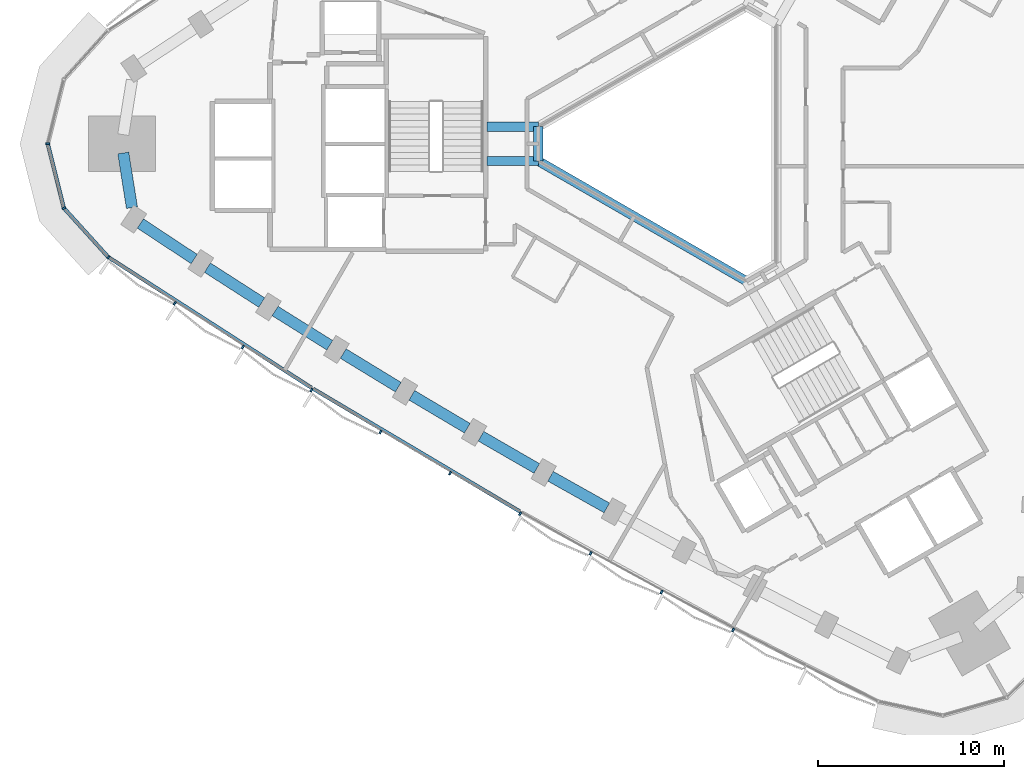
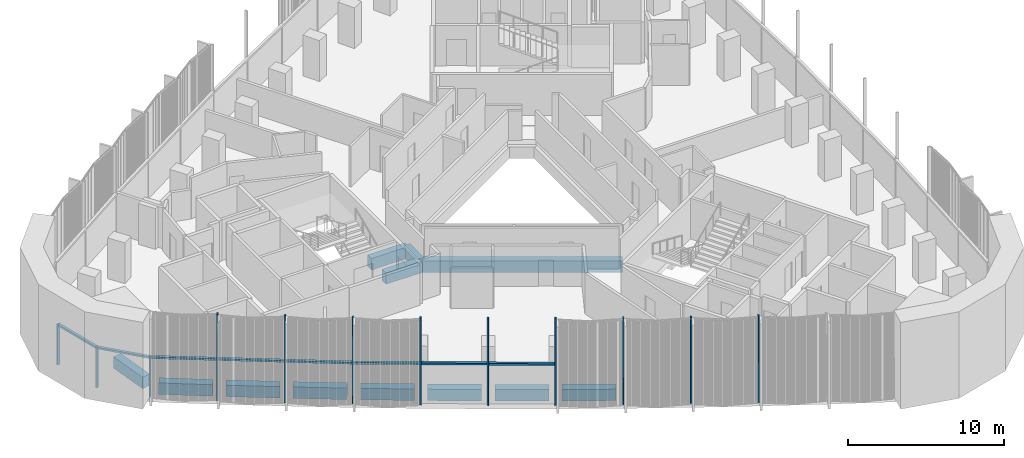
# One storey, part 2 of 14: 16 members, 12 beams, 2 elements without a shape of their own.
"""IFC4 building model written with IfcOpenShell, lengths in metres."""

from ifc_helpers import new_model, si_unit, direction, frame, origin, origin_2d, place, context, subcontext, project, spatial, rectangle, extrude, material, material_profile, profile_set, type_object, element, aggregate, save


model = new_model("IFC4")

# Units and contexts
model_context = context("Model", 3, precision=1e-05, world=origin(), true_north=direction((0.0, 1.0)))
body_context = subcontext(model_context, "Body", "Model", "MODEL_VIEW")
ifc_project = project(units=[si_unit("LENGTHUNIT", "METRE"), si_unit("AREAUNIT", "SQUARE_METRE"), si_unit("VOLUMEUNIT", "CUBIC_METRE"), si_unit("PLANEANGLEUNIT", "RADIAN"), si_unit("MASSUNIT", "GRAM", prefix="KILO")], contexts=[model_context])

# Site, building, storey
site_placement = place(None, origin())
site = spatial("IfcSite", under=ifc_project, at=site_placement, CompositionType="ELEMENT")
building_placement = place(site_placement, origin())
building = spatial("IfcBuilding", under=site, at=building_placement, Name="Tamra Quay Hotel Tower", CompositionType="ELEMENT")
storey_placement = place(building_placement, frame((0.0, 0.0, 150.39990234375)))
storey = spatial("IfcBuildingStorey", under=building, at=storey_placement, Name="L37", CompositionType="ELEMENT", Elevation=150.39990234375)

# Beams
ifc_material_1 = material(Name="Concrete M60", Category="concrete")
ifc_material_profile_1 = material_profile(ifc_material_1, rectangle(XDim=0.5, YDim=0.89990234375, at=origin_2d()), Name="ATRIUM EDGE BEAM RC 500x900")
ifc_profile_set_1 = profile_set([ifc_material_profile_1], Name="Concrete M60")
beam_type_1 = type_object("IfcBeamType", Name="ATRIUM EDGE BEAM RC 500x900", PredefinedType="BEAM", material=ifc_profile_set_1)
beam_1_placement = place(storey_placement, frame((3.199951171875, -7.39013671875, -0.849853515625), z_axis=(-0.866024942741, 0.500000798549, 0.0), x_axis=(-0.500000798549, -0.866024942741, 0.0)))
element("IfcBeam", 1, at=beam_1_placement, inside=storey, type_object=beam_type_1, Name="BM-AB2-L37", PredefinedType="BEAM", context=body_context, shape_type="SweptSolid", body=[
    extrude(rectangle(XDim=0.5, YDim=0.89990234375, at=origin_2d()), origin(), (0.0, 0.0, 1.0), 12.9326171875),
])
beam_2_placement = place(storey_placement, frame((-8.0, -0.923828125, -0.849853515625), z_axis=(0.0, 1.0, 0.0), x_axis=(-1.0, 0.0, 0.0)))
element("IfcBeam", 2, at=beam_2_placement, inside=storey, type_object=beam_type_1, Name="BM-AB3-L37", PredefinedType="BEAM", context=body_context, shape_type="SweptSolid", body=[
    extrude(rectangle(XDim=0.5, YDim=0.89990234375, at=origin_2d()), origin(), (0.0, 0.0, 1.0), 1.84765625),
])
ifc_material_profile_2 = material_profile(ifc_material_1, rectangle(XDim=0.5, YDim=0.89990234375, at=origin_2d()), Name="ATRIUM TIE BEAM RC 500x900")
ifc_profile_set_2 = profile_set([ifc_material_profile_2], Name="Concrete M60")
beam_type_2 = type_object("IfcBeamType", Name="ATRIUM TIE BEAM RC 500x900", PredefinedType="BEAM", material=ifc_profile_set_2)
for number, where, z_axis, x_axis, name in (
    (3, (-8.0, -0.923828125, -0.849853515625), (-1.0, 0.0, 0.0), (0.0, -1.0, 0.0), "BM-TIE-3-L37"),
    (4, (-8.0, 0.923828125, -0.849853515625), (-1.0, 0.0, 0.0), (0.0, -1.0, 0.0), "BM-TIE-4-L37"),
):
    element("IfcBeam", number, at=place(storey_placement, frame(where, z_axis=z_axis, x_axis=x_axis)), inside=storey, type_object=beam_type_2, Name=name, PredefinedType="BEAM", context=body_context, shape_type="SweptSolid", body=[
        extrude(rectangle(XDim=0.5, YDim=0.89990234375, at=origin_2d()), origin(), (0.0, 0.0, 1.0), 2.76220703125),
    ])

# Curtain wall, members
ifc_material_2 = material(Name="Aluminium 6063 anodised dark grey", Category="aluminium")
curtain_wall_type_1 = type_object("IfcCurtainWallType", Name="CW2 CURTAIN WALL", PredefinedType="NOTDEFINED", material=ifc_material_2)
curtain_wall_1_placement = place(storey_placement, origin())
curtain_wall_1 = element("IfcCurtainWall", 5, at=curtain_wall_1_placement, inside=storey, type_object=curtain_wall_type_1, Name="CW2 north-west face L37", PredefinedType="NOTDEFINED")
ifc_material_profile_3 = material_profile(ifc_material_2, rectangle(XDim=0.199951171875, YDim=0.10009765625, at=origin_2d()), Name="MULLION 100X200")
ifc_profile_set_3 = profile_set([ifc_material_profile_3], Name="Aluminium 6063 anodised dark grey")
member_type_1 = type_object("IfcMemberType", Name="MULLION CW2 Z3", PredefinedType="MULLION", material=ifc_profile_set_3)
member_1_placement = place(storey_placement, frame((-34.39990234375, 0.0, 0.0), z_axis=(0.0, 0.0, 1.0), x_axis=(-1.0, 0.0, 0.0)))
member_1 = element("IfcMember", 6, at=member_1_placement, type_object=member_type_1, Name="CW2 mullion L37.NW.14", PredefinedType="MULLION", context=body_context, shape_type="SweptSolid", body=[
    extrude(rectangle(XDim=0.199951171875, YDim=0.10009765625, at=origin_2d()), origin(), (0.0, 0.0, 1.0), 3.2001953125),
])
member_2_placement = place(storey_placement, frame((-33.533935546875, -3.4580078125, 0.0), z_axis=(0.0, 0.0, 1.0), x_axis=(-0.881925145425, -0.47138947577, 0.0)))
member_2 = element("IfcMember", 7, at=member_2_placement, type_object=member_type_1, Name="CW2 mullion L37.NW.15", PredefinedType="MULLION", context=body_context, shape_type="SweptSolid", body=[
    extrude(rectangle(XDim=0.199951171875, YDim=0.10009765625, at=origin_2d()), origin(), (0.0, 0.0, 1.0), 3.2001953125),
])

curtain_wall_type_2 = type_object("IfcCurtainWallType", Name="CW3 CURTAIN WALL", PredefinedType="NOTDEFINED", material=ifc_material_2)
curtain_wall_2_placement = place(storey_placement, origin())
curtain_wall_2 = element("IfcCurtainWall", 8, at=curtain_wall_2_placement, inside=storey, type_object=curtain_wall_type_2, Name="CW3 south-west face L37", PredefinedType="NOTDEFINED")
ifc_material_profile_4 = material_profile(ifc_material_2, rectangle(XDim=0.199951171875, YDim=0.10009765625, at=origin_2d()), Name="MULLION 100X200")
ifc_profile_set_4 = profile_set([ifc_material_profile_4], Name="Aluminium 6063 anodised dark grey")
member_type_2 = type_object("IfcMemberType", Name="MULLION CW3 Z3", PredefinedType="MULLION", material=ifc_profile_set_4)
member_3_placement = place(storey_placement, frame((-31.139892578125, -6.099365234375, 0.0), z_axis=(0.0, 0.0, 1.0), x_axis=(-0.650989203966, -0.759086988638, 0.0)))
member_3 = element("IfcMember", 9, at=member_3_placement, type_object=member_type_2, Name="CW3 mullion L37.SW.1", PredefinedType="MULLION", context=body_context, shape_type="SweptSolid", body=[
    extrude(rectangle(XDim=0.199951171875, YDim=0.10009765625, at=origin_2d()), origin(), (0.0, 0.0, 1.0), 3.2001953125),
])
member_4_placement = place(storey_placement, frame((-27.562255859375, -8.580078125, 0.0), z_axis=(0.0, 0.0, 1.0), x_axis=(-0.545780333841, -0.83792829478, 0.0)))
member_4 = element("IfcMember", 10, at=member_4_placement, type_object=member_type_2, Name="CW3 mullion L37.SW.2", PredefinedType="MULLION", context=body_context, shape_type="SweptSolid", body=[
    extrude(rectangle(XDim=0.199951171875, YDim=0.10009765625, at=origin_2d()), origin(), (0.0, 0.0, 1.0), 6.800048828125),
])
member_5_placement = place(storey_placement, frame((-23.9013671875, -10.93359375, 0.0), z_axis=(0.0, 0.0, 1.0), x_axis=(-0.535760469724, -0.844370013135, 0.0)))
member_5 = element("IfcMember", 11, at=member_5_placement, type_object=member_type_2, Name="CW3 mullion L37.SW.3", PredefinedType="MULLION", context=body_context, shape_type="SweptSolid", body=[
    extrude(rectangle(XDim=0.199951171875, YDim=0.10009765625, at=origin_2d()), origin(), (0.0, 0.0, 1.0), 6.800048828125),
])
member_6_placement = place(storey_placement, frame((-20.211181640625, -13.244140625, 0.0), z_axis=(0.0, 0.0, 1.0), x_axis=(-0.525646070237, -0.850703361251, 0.0)))
member_6 = element("IfcMember", 12, at=member_6_placement, type_object=member_type_2, Name="CW3 mullion L37.SW.4", PredefinedType="MULLION", context=body_context, shape_type="SweptSolid", body=[
    extrude(rectangle(XDim=0.199951171875, YDim=0.10009765625, at=origin_2d()), origin(), (0.0, 0.0, 1.0), 6.800048828125),
])
member_7_placement = place(storey_placement, frame((-16.493896484375, -15.510498046875, 0.0), z_axis=(0.0, 0.0, 1.0), x_axis=(-0.515444608831, -0.856922899231, 0.0)))
member_7 = element("IfcMember", 13, at=member_7_placement, type_object=member_type_2, Name="CW3 mullion L37.SW.5", PredefinedType="MULLION", context=body_context, shape_type="SweptSolid", body=[
    extrude(rectangle(XDim=0.199951171875, YDim=0.10009765625, at=origin_2d()), origin(), (0.0, 0.0, 1.0), 6.800048828125),
])
member_8_placement = place(storey_placement, frame((-12.7509765625, -17.731689453125, 0.0), z_axis=(0.0, 0.0, 1.0), x_axis=(-0.505168628897, -0.863020658141, 0.0)))
member_8 = element("IfcMember", 14, at=member_8_placement, type_object=member_type_2, Name="CW3 mullion L37.SW.6", PredefinedType="MULLION", context=body_context, shape_type="SweptSolid", body=[
    extrude(rectangle(XDim=0.199951171875, YDim=0.10009765625, at=origin_2d()), origin(), (0.0, 0.0, 1.0), 6.800048828125),
])
member_9_placement = place(storey_placement, frame((-8.98046875, -19.908447265625, 0.0), z_axis=(0.0, 0.0, 1.0), x_axis=(-0.494813499493, -0.86899919489, 0.0)))
member_9 = element("IfcMember", 15, at=member_9_placement, type_object=member_type_2, Name="CW3 mullion L37.SW.7", PredefinedType="MULLION", context=body_context, shape_type="SweptSolid", body=[
    extrude(rectangle(XDim=0.199951171875, YDim=0.10009765625, at=origin_2d()), origin(), (0.0, 0.0, 1.0), 6.800048828125),
])
member_10_placement = place(storey_placement, frame((-5.185546875, -22.039306640625, 0.0), z_axis=(0.0, 0.0, 1.0), x_axis=(-0.484394695404, -0.874849575107, 0.0)))
member_10 = element("IfcMember", 16, at=member_10_placement, type_object=member_type_2, Name="CW3 mullion L37.SW.8", PredefinedType="MULLION", context=body_context, shape_type="SweptSolid", body=[
    extrude(rectangle(XDim=0.199951171875, YDim=0.10009765625, at=origin_2d()), origin(), (0.0, 0.0, 1.0), 6.800048828125),
])
member_11_placement = place(storey_placement, frame((-1.3642578125, -24.12548828125, 0.0), z_axis=(0.0, 0.0, 1.0), x_axis=(-0.47390768681, -0.88057453085, 0.0)))
member_11 = element("IfcMember", 17, at=member_11_placement, type_object=member_type_2, Name="CW3 mullion L37.SW.9", PredefinedType="MULLION", context=body_context, shape_type="SweptSolid", body=[
    extrude(rectangle(XDim=0.199951171875, YDim=0.10009765625, at=origin_2d()), origin(), (0.0, 0.0, 1.0), 6.800048828125),
])
member_12_placement = place(storey_placement, frame((2.48193359375, -26.166015625, 0.0), z_axis=(0.0, 0.0, 1.0), x_axis=(-0.463365646706, -0.886167183692, 0.0)))
member_12 = element("IfcMember", 18, at=member_12_placement, type_object=member_type_2, Name="CW3 mullion L37.SW.10", PredefinedType="MULLION", context=body_context, shape_type="SweptSolid", body=[
    extrude(rectangle(XDim=0.199951171875, YDim=0.10009765625, at=origin_2d()), origin(), (0.0, 0.0, 1.0), 6.800048828125),
])

# Beams
ifc_material_profile_5 = material_profile(ifc_material_1, rectangle(XDim=0.60009765625, YDim=0.89990234375, at=origin_2d()), Name="SPANDREL BEAM RC 600x900")
ifc_profile_set_5 = profile_set([ifc_material_profile_5], Name="Concrete M60")
beam_type_3 = type_object("IfcBeamType", Name="SPANDREL BEAM RC 600x900", PredefinedType="SPANDREL", material=ifc_profile_set_5)
beam_3_placement = place(storey_placement, frame((-30.336181640625, -0.493408203125, -0.849853515625), z_axis=(0.156337236308, -0.987703735208, 0.0), x_axis=(0.987703735208, 0.156337236308, 0.0)))
element("IfcBeam", 19, at=beam_3_placement, inside=storey, type_object=beam_type_3, Name="BM-SP3-025-L37", PredefinedType="SPANDREL", context=body_context, shape_type="SweptSolid", body=[
    extrude(rectangle(XDim=0.60009765625, YDim=0.89990234375, at=origin_2d()), origin(), (0.0, 0.0, 1.0), 2.97802734375),
])
beam_4_placement = place(storey_placement, frame((-29.41796875, -4.28759765625, -0.849853515625), z_axis=(0.834690851507, -0.55071878705, 0.0), x_axis=(0.55071878705, 0.834690851507, 0.0)))
element("IfcBeam", 20, at=beam_4_placement, inside=storey, type_object=beam_type_3, Name="BM-SP3-026-L37", PredefinedType="SPANDREL", context=body_context, shape_type="SweptSolid", body=[
    extrude(rectangle(XDim=0.60009765625, YDim=0.89990234375, at=origin_2d()), origin(), (0.0, 0.0, 1.0), 3.472412109375),
])
beam_5_placement = place(storey_placement, frame((-25.807373046875, -6.663818359375, -0.849853515625), z_axis=(0.84116020305, -0.540786013878, 0.0), x_axis=(0.540786013878, 0.84116020305, 0.0)))
element("IfcBeam", 21, at=beam_5_placement, inside=storey, type_object=beam_type_3, Name="BM-SP3-027-L37", PredefinedType="SPANDREL", context=body_context, shape_type="SweptSolid", body=[
    extrude(rectangle(XDim=0.60009765625, YDim=0.89990234375, at=origin_2d()), origin(), (0.0, 0.0, 1.0), 3.47314453125),
])
for number, where, z_axis, x_axis, name in (
    (22, (-22.168212890625, -8.997314453125, -0.849853515625), (0.847547681474, -0.530719255, 0.0), (0.530719255, 0.847547681474, 0.0), "BM-SP3-028-L37"),
    (23, (-18.502197265625, -11.287109375, -0.849853515625), (0.853835813207, -0.520542413339, 0.0), (0.520542413339, 0.853835813207, 0.0), "BM-SP3-029-L37"),
):
    element("IfcBeam", number, at=place(storey_placement, frame(where, z_axis=z_axis, x_axis=x_axis)), inside=storey, type_object=beam_type_3, Name=name, PredefinedType="SPANDREL", context=body_context, shape_type="SweptSolid", body=[
        extrude(rectangle(XDim=0.60009765625, YDim=0.89990234375, at=origin_2d()), origin(), (0.0, 0.0, 1.0), 3.47216796875),
    ])
beam_6_placement = place(storey_placement, frame((-14.80908203125, -13.53271484375, -0.849853515625), z_axis=(0.859988767784, -0.510312962098, 0.0), x_axis=(0.510312962098, 0.859988767784, 0.0)))
element("IfcBeam", 24, at=beam_6_placement, inside=storey, type_object=beam_type_3, Name="BM-SP3-030-L37", PredefinedType="SPANDREL", context=body_context, shape_type="SweptSolid", body=[
    extrude(rectangle(XDim=0.60009765625, YDim=0.89990234375, at=origin_2d()), origin(), (0.0, 0.0, 1.0), 3.472900390625),
])
beam_7_placement = place(storey_placement, frame((-11.0888671875, -15.734375, -0.849853515625), z_axis=(0.866032201241, -0.499988226275, 0.0), x_axis=(0.499988226275, 0.866032201241, 0.0)))
element("IfcBeam", 25, at=beam_7_placement, inside=storey, type_object=beam_type_3, Name="BM-SP3-031-L37", PredefinedType="SPANDREL", context=body_context, shape_type="SweptSolid", body=[
    extrude(rectangle(XDim=0.60009765625, YDim=0.89990234375, at=origin_2d()), origin(), (0.0, 0.0, 1.0), 3.47216796875),
])
beam_8_placement = place(storey_placement, frame((-7.34326171875, -17.89111328125, -0.849853515625), z_axis=(0.871956406858, -0.489583521516, 0.0), x_axis=(0.489583521516, 0.871956406858, 0.0)))
element("IfcBeam", 26, at=beam_8_placement, inside=storey, type_object=beam_type_3, Name="BM-SP3-032-L37", PredefinedType="SPANDREL", context=body_context, shape_type="SweptSolid", body=[
    extrude(rectangle(XDim=0.60009765625, YDim=0.89990234375, at=origin_2d()), origin(), (0.0, 0.0, 1.0), 3.47265625),
])

# Member
ifc_material_profile_6 = material_profile(ifc_material_2, rectangle(XDim=0.199951171875, YDim=0.139892578125, at=origin_2d()), Name="TRANSOM 200X140")
ifc_profile_set_6 = profile_set([ifc_material_profile_6], Name="Aluminium 6063 anodised dark grey")
member_type_3 = type_object("IfcMemberType", Name="TRANSOM CW2 Z3", PredefinedType="USERDEFINED", material=ifc_profile_set_6)
member_13_placement = place(storey_placement, frame((-34.387939453125, -0.048583984375, 3.130126953125), z_axis=(0.243032991535, -0.970018023042, 0.0), x_axis=(0.970018023042, 0.243032991535, 0.0)))
member_13 = element("IfcMember", 27, at=member_13_placement, type_object=member_type_3, Name="CW2 transom L37.NW.14", ObjectType="TRANSOM", PredefinedType="USERDEFINED", context=body_context, shape_type="SweptSolid", body=[
    extrude(rectangle(XDim=0.199951171875, YDim=0.139892578125, at=origin_2d()), origin(), (0.0, 0.0, 1.0), 3.464599609375),
])

member_14_placement = place(storey_placement, frame((-33.500244140625, -3.4951171875, 3.130126953125), z_axis=(0.671553275013, -0.740956273217, 0.0), x_axis=(0.740956273217, 0.671553275013, 0.0)))
member_14 = element("IfcMember", 28, at=member_14_placement, type_object=member_type_3, Name="CW2 transom L37.NW.15", ObjectType="TRANSOM", PredefinedType="USERDEFINED", context=body_context, shape_type="SweptSolid", body=[
    extrude(rectangle(XDim=0.199951171875, YDim=0.139892578125, at=origin_2d()), origin(), (0.0, 0.0, 1.0), 3.46484375),
])

aggregate(curtain_wall_1, [member_1, member_13, member_2, member_14])

ifc_material_profile_7 = material_profile(ifc_material_2, rectangle(XDim=0.199951171875, YDim=0.139892578125, at=origin_2d()), Name="TRANSOM 200X140")
ifc_profile_set_7 = profile_set([ifc_material_profile_7], Name="Aluminium 6063 anodised dark grey")
member_type_4 = type_object("IfcMemberType", Name="TRANSOM CW3 Z3", PredefinedType="USERDEFINED", material=ifc_profile_set_7)
member_15_placement = place(storey_placement, frame((-31.09814453125, -6.126953125, 3.130126953125), z_axis=(0.841163779418, -0.54078045101, 0.0), x_axis=(0.54078045101, 0.841163779418, 0.0)))
member_15 = element("IfcMember", 29, at=member_15_placement, type_object=member_type_4, Name="CW3 transom L37.SW.1", ObjectType="TRANSOM", PredefinedType="USERDEFINED", context=body_context, shape_type="SweptSolid", body=[
    extrude(rectangle(XDim=0.199951171875, YDim=0.139892578125, at=origin_2d()), origin(), (0.0, 0.0, 1.0), 12.95458984375),
])

member_16_placement = place(storey_placement, frame((-20.115966796875, -13.18505859375, 3.130126953125), z_axis=(0.859981906486, -0.510324524707, 0.0), x_axis=(0.510324524707, 0.859981906486, 0.0)))
member_16 = element("IfcMember", 30, at=member_16_placement, type_object=member_type_4, Name="CW3 transom L37.SW.4", ObjectType="TRANSOM", PredefinedType="USERDEFINED", context=body_context, shape_type="SweptSolid", body=[
    extrude(rectangle(XDim=0.199951171875, YDim=0.139892578125, at=origin_2d()), origin(), (0.0, 0.0, 1.0), 12.95556640625),
])

aggregate(curtain_wall_2, [member_3, member_15, member_4, member_5, member_6, member_16, member_7, member_8, member_9, member_10, member_11, member_12])

save(model, "model.ifc")
